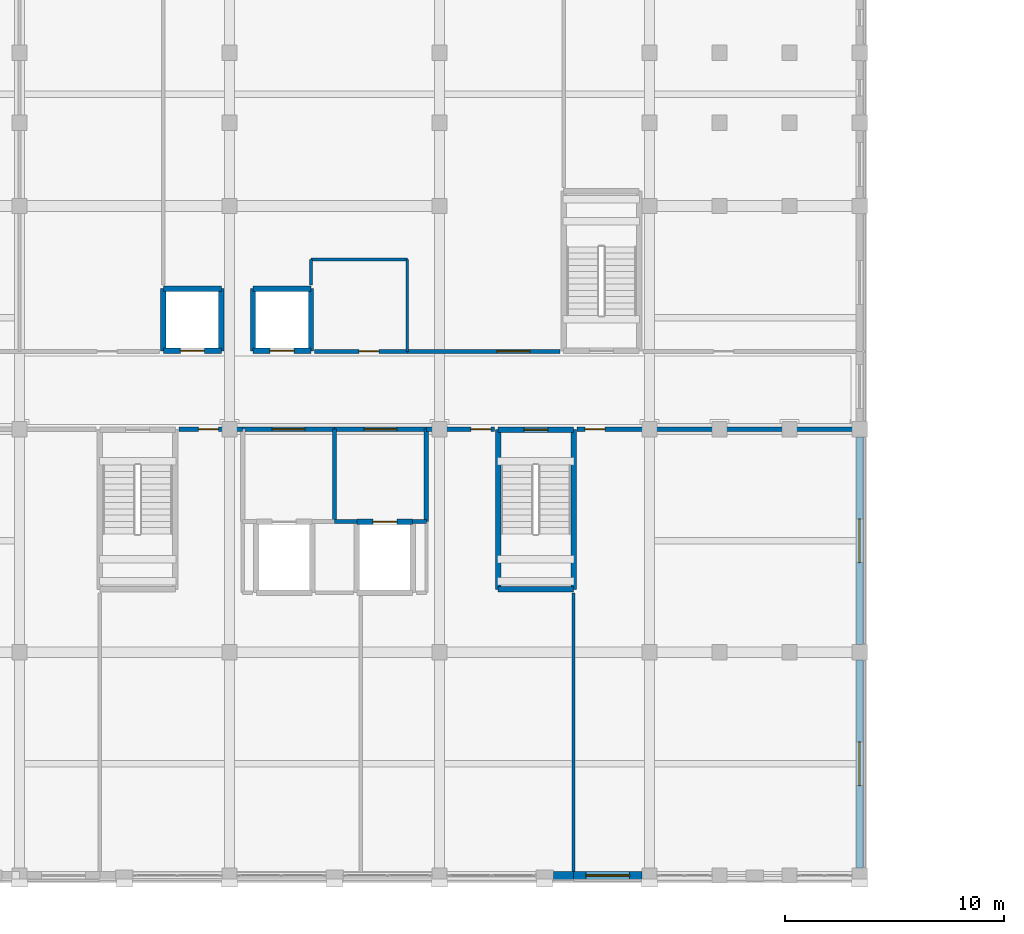
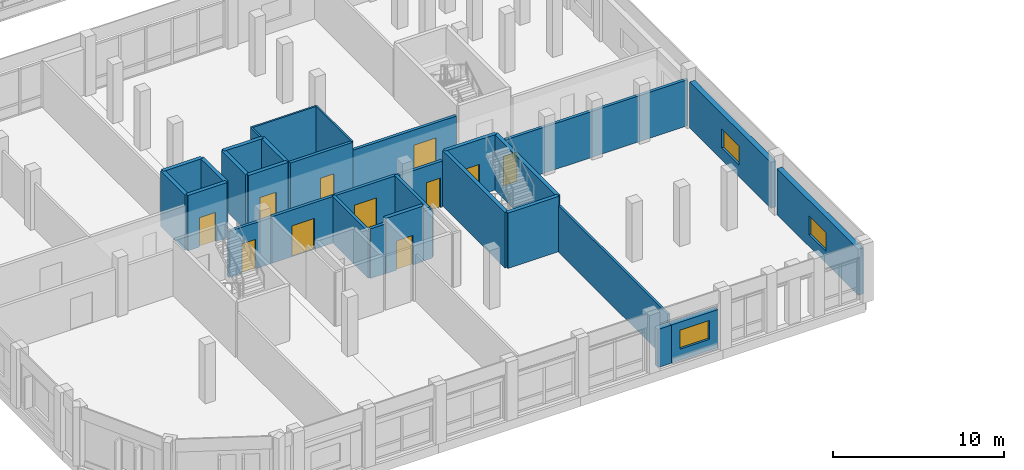
# One storey, part 156 of 185: 32 walls, 11 doors, 3 windows, 14 openings.
"""IFC4 building model written with IfcOpenShell, lengths in metres."""

from ifc_helpers import new_model, si_unit, direction, frame, frame_2d, origin, place, context, subcontext, project, spatial, rectangle, extrude, material, layer, layer_set, type_object, element, fill, save


model = new_model("IFC4")

# Units and contexts
model_context = context("Model", 3, precision=1e-05, world=origin(), true_north=direction((0.0, 1.0)))
body_context = subcontext(model_context, "Body", "Model", "MODEL_VIEW")
ifc_project = project(units=[si_unit("LENGTHUNIT", "METRE"), si_unit("AREAUNIT", "SQUARE_METRE"), si_unit("VOLUMEUNIT", "CUBIC_METRE"), si_unit("PLANEANGLEUNIT", "RADIAN"), si_unit("MASSUNIT", "GRAM", prefix="KILO")], contexts=[model_context])

# Site, building, storey
site_placement = place(None, origin())
site = spatial("IfcSite", under=ifc_project, at=site_placement, CompositionType="ELEMENT")
building_placement = place(site_placement, origin())
building = spatial("IfcBuilding", under=site, at=building_placement, Name="Vondelvale Polytechnic", CompositionType="ELEMENT")
storey_placement = place(building_placement, frame((0.0, 0.0, 9.60009765625)))
storey = spatial("IfcBuildingStorey", under=building, at=storey_placement, Name="L02", CompositionType="ELEMENT", Elevation=9.60009765625)

# Wall
ifc_material_1 = material(Name="Amsterdam School iron-spot clinker clay brickwork", Category="masonry")
ifc_layer_1 = layer(ifc_material_1, 0.35009765625)
ifc_layer_set_1 = layer_set([ifc_layer_1], Name="WL-BRICK-350")
wall_type_1 = type_object("IfcWallType", Name="WL-BRICK-350", PredefinedType="SOLIDWALL", material=ifc_layer_set_1)
wall_1_placement = place(storey_placement, frame((34.925048828125, 0.0, 0.0), z_axis=(0.0, 0.0, 1.0), x_axis=(-1.0, 0.0, 0.0)))
element("IfcWall", 1, at=wall_1_placement, inside=storey, type_object=wall_type_1, Name="L02 exterior masonry facade wall", PredefinedType="SOLIDWALL", context=body_context, shape_type="SweptSolid", body=[
    extrude(rectangle(XDim=0.924072265625, YDim=0.35009765625, at=frame_2d((0.4619140625, 0.0))), origin(), (0.0, 0.0, 1.0), 2.722900390625),
])

# Wall, opening, window
wall_2_placement = place(storey_placement, frame((38.049072265625, 0.0, 0.0), z_axis=(0.0, 0.0, 1.0), x_axis=(-1.0, 0.0, 0.0)))
wall_2 = element("IfcWall", 2, at=wall_2_placement, inside=storey, type_object=wall_type_1, Name="L02 exterior masonry facade wall", PredefinedType="SOLIDWALL", context=body_context, shape_type="SweptSolid", body=[
    extrude(rectangle(XDim=3.1240234375, YDim=0.35009765625, at=frame_2d((1.56201171875, 0.0))), origin(), (0.0, 0.0, 1.0), 2.722900390625),
])
opening_1_placement = place(wall_2_placement, frame((0.56201171875, 0.0, 0.800048828125)))
opening_1 = element("IfcOpeningElement", 3, at=opening_1_placement, cuts=wall_2, Name="Opening WN-0188", PredefinedType="OPENING", context=body_context, shape_type="SweptSolid", body=[
    extrude(rectangle(XDim=2.0, YDim=1.35009765625, at=frame_2d((1.0, 0.675048828125))), frame((0.0, 0.18505859375, 0.0), z_axis=(0.0, -1.0, 0.0), x_axis=(1.0, 0.0, 0.0)), (0.0, 0.0, 1.0), 0.3701171875),
])
ifc_material_2 = material(Name="Double-glazed low-E insulated architectural glass", Category="glass")
window_type = type_object("IfcWindowType", Name="WN-RIB-2000x1350", PartitioningType="SINGLE_PANEL", PredefinedType="WINDOW", material=ifc_material_2)
window_1_placement = place(opening_1_placement, origin())
window_1 = element("IfcWindow", 4, at=window_1_placement, inside=storey, type_object=window_type, Name="L02 double-glazed architectural window WN-0188", OverallHeight=1.35009765625, OverallWidth=2.0, PartitioningType="SINGLE_PANEL", PredefinedType="WINDOW", context=body_context, shape_type="SweptSolid", body=[
    extrude(rectangle(XDim=2.0, YDim=1.35009765625, at=frame_2d((1.0, 0.675048828125))), frame((0.0, 0.030029296875, 0.0), z_axis=(0.0, -1.0, 0.0), x_axis=(1.0, 0.0, 0.0)), (0.0, 0.0, 1.0), 0.06005859375),
])
fill(opening_1, window_1)

wall_3_placement = place(storey_placement, frame((48.0, 9.84912109375, 0.0), z_axis=(0.0, 0.0, 1.0), x_axis=(0.0, -1.0, 0.0)))
wall_3 = element("IfcWall", 5, at=wall_3_placement, inside=storey, type_object=wall_type_1, Name="L02 exterior masonry facade wall", PredefinedType="SOLIDWALL", context=body_context, shape_type="SweptSolid", body=[
    extrude(rectangle(XDim=9.498046875, YDim=0.35009765625, at=frame_2d((4.7490234375, 0.0))), origin(), (0.0, 0.0, 1.0), 3.27978515625),
])
opening_2_placement = place(wall_3_placement, frame((3.7490234375, 0.0, 0.85009765625)))
opening_2 = element("IfcOpeningElement", 6, at=opening_2_placement, cuts=wall_3, Name="Opening WN-0195", PredefinedType="OPENING", context=body_context, shape_type="SweptSolid", body=[
    extrude(rectangle(XDim=2.0, YDim=1.35009765625, at=frame_2d((1.0, 0.675048828125))), frame((0.0, 0.18505859375, 0.0), z_axis=(0.0, -1.0, 0.0), x_axis=(1.0, 0.0, 0.0)), (0.0, 0.0, 1.0), 0.3701171875),
])
window_2_placement = place(opening_2_placement, origin())
window_2 = element("IfcWindow", 7, at=window_2_placement, inside=storey, type_object=window_type, Name="L02 double-glazed architectural window WN-0195", OverallHeight=1.35009765625, OverallWidth=2.0, PartitioningType="SINGLE_PANEL", PredefinedType="WINDOW", context=body_context, shape_type="SweptSolid", body=[
    extrude(rectangle(XDim=2.0, YDim=1.35009765625, at=frame_2d((1.0, 0.675048828125))), frame((0.0, 0.030029296875, 0.0), z_axis=(0.0, -1.0, 0.0), x_axis=(1.0, 0.0, 0.0)), (0.0, 0.0, 1.0), 0.06005859375),
])
fill(opening_2, window_2)

wall_4_placement = place(storey_placement, frame((48.0, 20.049072265625, 0.0), z_axis=(0.0, 0.0, 1.0), x_axis=(0.0, -1.0, 0.0)))
wall_4 = element("IfcWall", 8, at=wall_4_placement, inside=storey, type_object=wall_type_1, Name="L02 exterior masonry facade wall", PredefinedType="SOLIDWALL", context=body_context, shape_type="SweptSolid", body=[
    extrude(rectangle(XDim=9.498046875, YDim=0.35009765625, at=frame_2d((4.7490234375, 0.0))), origin(), (0.0, 0.0, 1.0), 3.27978515625),
])
opening_3_placement = place(wall_4_placement, frame((3.7490234375, 0.0, 0.85009765625)))
opening_3 = element("IfcOpeningElement", 9, at=opening_3_placement, cuts=wall_4, Name="Opening WN-0196", PredefinedType="OPENING", context=body_context, shape_type="SweptSolid", body=[
    extrude(rectangle(XDim=2.0, YDim=1.35009765625, at=frame_2d((1.0, 0.675048828125))), frame((0.0, 0.18505859375, 0.0), z_axis=(0.0, -1.0, 0.0), x_axis=(1.0, 0.0, 0.0)), (0.0, 0.0, 1.0), 0.3701171875),
])
window_3_placement = place(opening_3_placement, origin())
window_3 = element("IfcWindow", 10, at=window_3_placement, inside=storey, type_object=window_type, Name="L02 double-glazed architectural window WN-0196", OverallHeight=1.35009765625, OverallWidth=2.0, PartitioningType="SINGLE_PANEL", PredefinedType="WINDOW", context=body_context, shape_type="SweptSolid", body=[
    extrude(rectangle(XDim=2.0, YDim=1.35009765625, at=frame_2d((1.0, 0.675048828125))), frame((0.0, 0.030029296875, 0.0), z_axis=(0.0, -1.0, 0.0), x_axis=(1.0, 0.0, 0.0)), (0.0, 0.0, 1.0), 0.06005859375),
])
fill(opening_3, window_3)

# Walls
ifc_material_3 = material(Name="Concrete N40 (f'c = 40 MPa)", Category="concrete")
ifc_layer_2 = layer(ifc_material_3, 0.25)
ifc_layer_set_2 = layer_set([ifc_layer_2], Name="WL-CORE-250")
wall_type_2 = type_object("IfcWallType", Name="WL-CORE-250", PredefinedType="SOLIDWALL", material=ifc_layer_set_2)
wall_5_placement = place(storey_placement, frame((31.47509765625, 20.375, 0.0), z_axis=(0.0, 0.0, 1.0), x_axis=(0.0, -1.0, 0.0)))
element("IfcWall", 11, at=wall_5_placement, inside=storey, type_object=wall_type_2, Name="L02 ST-04 reinforced concrete stair core wall", PredefinedType="SOLIDWALL", context=body_context, shape_type="SweptSolid", body=[
    extrude(rectangle(XDim=7.300048828125, YDim=0.25, at=frame_2d((3.64990234375, 0.0))), origin(), (0.0, 0.0, 1.0), 3.949951171875),
])
wall_6_placement = place(storey_placement, frame((31.47509765625, 13.074951171875, 0.0), z_axis=(0.0, 0.0, 1.0), x_axis=(1.0, 0.0, 0.0)))
element("IfcWall", 12, at=wall_6_placement, inside=storey, type_object=wall_type_2, Name="L02 ST-04 reinforced concrete stair core wall", PredefinedType="SOLIDWALL", context=body_context, shape_type="SweptSolid", body=[
    extrude(rectangle(XDim=3.449951171875, YDim=0.25, at=frame_2d((1.72509765625, 0.0))), origin(), (0.0, 0.0, 1.0), 3.949951171875),
])
wall_7_placement = place(storey_placement, frame((34.925048828125, 13.074951171875, 0.0), z_axis=(0.0, 0.0, 1.0), x_axis=(0.0, 1.0, 0.0)))
element("IfcWall", 13, at=wall_7_placement, inside=storey, type_object=wall_type_2, Name="L02 ST-04 reinforced concrete stair core wall", PredefinedType="SOLIDWALL", context=body_context, shape_type="SweptSolid", body=[
    extrude(rectangle(XDim=7.300048828125, YDim=0.25, at=frame_2d((3.64990234375, 0.0))), origin(), (0.0, 0.0, 1.0), 3.949951171875),
])

# Wall, opening, door
wall_8_placement = place(storey_placement, frame((34.925048828125, 20.375, 0.0), z_axis=(0.0, 0.0, 1.0), x_axis=(-1.0, 0.0, 0.0)))
wall_8 = element("IfcWall", 14, at=wall_8_placement, inside=storey, type_object=wall_type_2, Name="L02 ST-04 reinforced concrete stair core wall", PredefinedType="SOLIDWALL", context=body_context, shape_type="SweptSolid", body=[
    extrude(rectangle(XDim=3.449951171875, YDim=0.25, at=frame_2d((1.72509765625, 0.0))), origin(), (0.0, 0.0, 1.0), 3.949951171875),
])
opening_4_placement = place(wall_8_placement, frame((1.175048828125, 0.0, 0.0)))
opening_4 = element("IfcOpeningElement", 15, at=opening_4_placement, cuts=wall_8, Name="Opening SD-021", PredefinedType="OPENING", context=body_context, shape_type="SweptSolid", body=[
    extrude(rectangle(XDim=1.10009765625, YDim=2.199951171875, at=frame_2d((0.550048828125, 1.10009765625))), frame((0.0, 0.135009765625, 0.0), z_axis=(0.0, -1.0, 0.0), x_axis=(1.0, 0.0, 0.0)), (0.0, 0.0, 1.0), 0.27001953125),
])
ifc_material_4 = material(Name="Brushed architectural stainless and zinc-coated metal")
door_type_1 = type_object("IfcDoorType", Name="DR-STAIR-1100x2200", OperationType="SINGLE_SWING_LEFT", PredefinedType="DOOR", material=ifc_material_4)
door_1_placement = place(opening_4_placement, origin())
door_1 = element("IfcDoor", 16, at=door_1_placement, inside=storey, type_object=door_type_1, Name="L02 ST-04 fire-isolated stair door", OperationType="SINGLE_SWING_LEFT", OverallHeight=2.199951171875, OverallWidth=1.10009765625, PredefinedType="DOOR", context=body_context, shape_type="SweptSolid", body=[
    extrude(rectangle(XDim=1.10009765625, YDim=2.199951171875, at=frame_2d((0.550048828125, 1.10009765625))), frame((0.0, 0.02490234375, 0.0), z_axis=(0.0, -1.0, 0.0), x_axis=(1.0, 0.0, 0.0)), (0.0, 0.0, 1.0), 0.050048828125),
])
fill(opening_4, door_1)

ifc_material_5 = material(Name="Fire-rated double-layer plasterboard stud partition")
ifc_layer_3 = layer(ifc_material_5, 0.199951171875)
ifc_layer_set_3 = layer_set([ifc_layer_3], Name="WL-CORR-200")
wall_type_3 = type_object("IfcWallType", Name="WL-CORR-200", PredefinedType="PARTITIONING", material=ifc_layer_set_3)
wall_9_placement = place(storey_placement, frame((19.800048828125, 20.39990234375, 0.0), z_axis=(0.0, 0.0, 1.0), x_axis=(1.0, 0.0, 0.0)))
wall_9 = element("IfcWall", 17, at=wall_9_placement, inside=storey, type_object=wall_type_3, Name="L02 EL-01 fire-isolated lift lobby wall", PredefinedType="PARTITIONING", context=body_context, shape_type="SweptSolid", body=[
    extrude(rectangle(XDim=4.199951171875, YDim=0.199951171875, at=frame_2d((2.10009765625, 0.0))), origin(), (0.0, 0.0, 1.0), 3.329833984375),
])
opening_5_placement = place(wall_9_placement, frame((1.35009765625, 0.0, 0.0)))
opening_5 = element("IfcOpeningElement", 18, at=opening_5_placement, cuts=wall_9, Name="Opening LBD-059", PredefinedType="OPENING", context=body_context, shape_type="SweptSolid", body=[
    extrude(rectangle(XDim=1.5, YDim=2.199951171875, at=frame_2d((0.75, 1.10009765625))), frame((0.0, 0.10986328125, 0.0), z_axis=(0.0, -1.0, 0.0), x_axis=(1.0, 0.0, 0.0)), (0.0, 0.0, 1.0), 0.219970703125),
])
ifc_material_6 = material(Name="Engineered Tasmanian oak studio and bridge joinery")
door_type_2 = type_object("IfcDoorType", Name="DR-LOBBY-1500x2200", OperationType="DOUBLE_DOOR_SINGLE_SWING", PredefinedType="DOOR", material=ifc_material_6)
door_2_placement = place(opening_5_placement, origin())
door_2 = element("IfcDoor", 19, at=door_2_placement, inside=storey, type_object=door_type_2, Name="L02 EL-01 firefighting lobby smoke door", OperationType="SINGLE_SWING_LEFT", OverallHeight=2.199951171875, OverallWidth=1.5, PredefinedType="DOOR", context=body_context, shape_type="SweptSolid", body=[
    extrude(rectangle(XDim=1.5, YDim=2.199951171875, at=frame_2d((0.75, 1.10009765625))), frame((0.0, 0.02490234375, 0.0), z_axis=(0.0, -1.0, 0.0), x_axis=(1.0, 0.0, 0.0)), (0.0, 0.0, 1.0), 0.050048828125),
])
fill(opening_5, door_2)

# Wall
wall_10_placement = place(storey_placement, frame((24.0, 16.175048828125, 0.0), z_axis=(0.0, 0.0, 1.0), x_axis=(0.0, 1.0, 0.0)))
element("IfcWall", 20, at=wall_10_placement, inside=storey, type_object=wall_type_3, Name="L02 EL-01 fire-isolated lift lobby wall", PredefinedType="PARTITIONING", context=body_context, shape_type="SweptSolid", body=[
    extrude(rectangle(XDim=4.224853515625, YDim=0.199951171875, at=frame_2d((2.1123046875, 0.0))), origin(), (0.0, 0.0, 1.0), 3.329833984375),
])

# Wall, opening, door
wall_11_placement = place(storey_placement, frame((24.0, 20.39990234375, 0.0), z_axis=(0.0, 0.0, 1.0), x_axis=(1.0, 0.0, 0.0)))
wall_11 = element("IfcWall", 21, at=wall_11_placement, inside=storey, type_object=wall_type_3, Name="L02 EL-02 fire-isolated lift lobby wall", PredefinedType="PARTITIONING", context=body_context, shape_type="SweptSolid", body=[
    extrude(rectangle(XDim=4.199951171875, YDim=0.199951171875, at=frame_2d((2.10009765625, 0.0))), origin(), (0.0, 0.0, 1.0), 3.329833984375),
])
opening_6_placement = place(wall_11_placement, frame((1.35009765625, 0.0, 0.0)))
opening_6 = element("IfcOpeningElement", 22, at=opening_6_placement, cuts=wall_11, Name="Opening LBD-068", PredefinedType="OPENING", context=body_context, shape_type="SweptSolid", body=[
    extrude(rectangle(XDim=1.5, YDim=2.199951171875, at=frame_2d((0.75, 1.10009765625))), frame((0.0, 0.10986328125, 0.0), z_axis=(0.0, -1.0, 0.0), x_axis=(1.0, 0.0, 0.0)), (0.0, 0.0, 1.0), 0.219970703125),
])
door_3_placement = place(opening_6_placement, origin())
door_3 = element("IfcDoor", 23, at=door_3_placement, inside=storey, type_object=door_type_2, Name="L02 EL-02 firefighting lobby smoke door", OperationType="SINGLE_SWING_LEFT", OverallHeight=2.199951171875, OverallWidth=1.5, PredefinedType="DOOR", context=body_context, shape_type="SweptSolid", body=[
    extrude(rectangle(XDim=1.5, YDim=2.199951171875, at=frame_2d((0.75, 1.10009765625))), frame((0.0, 0.02490234375, 0.0), z_axis=(0.0, -1.0, 0.0), x_axis=(1.0, 0.0, 0.0)), (0.0, 0.0, 1.0), 0.050048828125),
])
fill(opening_6, door_3)

# Walls
wall_12_placement = place(storey_placement, frame((28.199951171875, 16.175048828125, 0.0), z_axis=(0.0, 0.0, 1.0), x_axis=(0.0, 1.0, 0.0)))
element("IfcWall", 24, at=wall_12_placement, inside=storey, type_object=wall_type_3, Name="L02 EL-02 fire-isolated lift lobby wall", PredefinedType="PARTITIONING", context=body_context, shape_type="SweptSolid", body=[
    extrude(rectangle(XDim=4.224853515625, YDim=0.199951171875, at=frame_2d((2.1123046875, 0.0))), origin(), (0.0, 0.0, 1.0), 3.329833984375),
])
wall_13_placement = place(storey_placement, frame((24.0, 16.175048828125, 0.0), z_axis=(0.0, 0.0, 1.0), x_axis=(1.0, 0.0, 0.0)))
element("IfcWall", 25, at=wall_13_placement, inside=storey, type_object=wall_type_3, Name="L02 EL-02 fire-isolated lift lobby wall", PredefinedType="PARTITIONING", context=body_context, shape_type="SweptSolid", body=[
    extrude(rectangle(XDim=1.02490234375, YDim=0.199951171875, at=frame_2d((0.512451171875, 0.0))), origin(), (0.0, 0.0, 1.0), 3.5498046875),
])
wall_14_placement = place(storey_placement, frame((27.574951171875, 16.175048828125, 0.0), z_axis=(0.0, 0.0, 1.0), x_axis=(1.0, 0.0, 0.0)))
element("IfcWall", 26, at=wall_14_placement, inside=storey, type_object=wall_type_3, Name="L02 EL-02 fire-isolated lift lobby wall", PredefinedType="PARTITIONING", context=body_context, shape_type="SweptSolid", body=[
    extrude(rectangle(XDim=0.625, YDim=0.199951171875, at=frame_2d((0.3125, 0.0))), origin(), (0.0, 0.0, 1.0), 3.5498046875),
])

# Wall, opening, door
wall_15_placement = place(storey_placement, frame((16.889892578125, 20.39990234375, 0.0), z_axis=(0.0, 0.0, 1.0), x_axis=(1.0, 0.0, 0.0)))
wall_15 = element("IfcWall", 27, at=wall_15_placement, inside=storey, type_object=wall_type_3, Name="L02 interior acoustic partition", PredefinedType="PARTITIONING", context=body_context, shape_type="SweptSolid", body=[
    extrude(rectangle(XDim=2.91015625, YDim=0.199951171875, at=frame_2d((1.455078125, 0.0))), origin(), (0.0, 0.0, 1.0), 3.27978515625),
])
opening_7_placement = place(wall_15_placement, frame((0.885009765625, 0.0, 0.0)))
opening_7 = element("IfcOpeningElement", 28, at=opening_7_placement, cuts=wall_15, Name="Opening ID-0159", PredefinedType="OPENING", context=body_context, shape_type="SweptSolid", body=[
    extrude(rectangle(XDim=0.919921875, YDim=2.10009765625, at=frame_2d((0.4599609375, 1.050048828125))), frame((0.0, 0.10986328125, 0.0), z_axis=(0.0, -1.0, 0.0), x_axis=(1.0, 0.0, 0.0)), (0.0, 0.0, 1.0), 0.219970703125),
])
ifc_material_7 = material(Name="Fire-rated solid Tasmanian oak joinery")
door_type_3 = type_object("IfcDoorType", Name="DR-INT-0920x2100", OperationType="SINGLE_SWING_LEFT", PredefinedType="DOOR", material=ifc_material_7)
door_4_placement = place(opening_7_placement, origin())
door_4 = element("IfcDoor", 29, at=door_4_placement, inside=storey, type_object=door_type_3, Name="L02 interior room door ID-0159", OperationType="SINGLE_SWING_LEFT", OverallHeight=2.10009765625, OverallWidth=0.919921875, PredefinedType="DOOR", context=body_context, shape_type="SweptSolid", body=[
    extrude(rectangle(XDim=0.919921875, YDim=2.10009765625, at=frame_2d((0.4599609375, 1.050048828125))), frame((0.0, 0.02490234375, 0.0), z_axis=(0.0, -1.0, 0.0), x_axis=(1.0, 0.0, 0.0)), (0.0, 0.0, 1.0), 0.050048828125),
])
fill(opening_7, door_4)

wall_16_placement = place(storey_placement, frame((28.199951171875, 20.39990234375, 0.0), z_axis=(0.0, 0.0, 1.0), x_axis=(1.0, 0.0, 0.0)))
wall_16 = element("IfcWall", 30, at=wall_16_placement, inside=storey, type_object=wall_type_3, Name="L02 interior acoustic partition", PredefinedType="PARTITIONING", context=body_context, shape_type="SweptSolid", body=[
    extrude(rectangle(XDim=3.110107421875, YDim=0.199951171875, at=frame_2d((1.55517578125, 0.0))), origin(), (0.0, 0.0, 1.0), 3.27978515625),
])
opening_8_placement = place(wall_16_placement, frame((2.030029296875, 0.0, 0.0)))
opening_8 = element("IfcOpeningElement", 31, at=opening_8_placement, cuts=wall_16, Name="Opening ID-0160", PredefinedType="OPENING", context=body_context, shape_type="SweptSolid", body=[
    extrude(rectangle(XDim=0.919921875, YDim=2.10009765625, at=frame_2d((0.4599609375, 1.050048828125))), frame((0.0, 0.10986328125, 0.0), z_axis=(0.0, -1.0, 0.0), x_axis=(1.0, 0.0, 0.0)), (0.0, 0.0, 1.0), 0.219970703125),
])
door_5_placement = place(opening_8_placement, origin())
door_5 = element("IfcDoor", 32, at=door_5_placement, inside=storey, type_object=door_type_3, Name="L02 interior room door ID-0160", OperationType="SINGLE_SWING_RIGHT", OverallHeight=2.10009765625, OverallWidth=0.919921875, PredefinedType="DOOR", context=body_context, shape_type="SweptSolid", body=[
    extrude(rectangle(XDim=0.919921875, YDim=2.10009765625, at=frame_2d((0.4599609375, 1.050048828125))), frame((0.0, 0.02490234375, 0.0), z_axis=(0.0, -1.0, 0.0), x_axis=(1.0, 0.0, 0.0)), (0.0, 0.0, 1.0), 0.050048828125),
])
fill(opening_8, door_5)

wall_17_placement = place(storey_placement, frame((35.090087890625, 20.39990234375, 0.0), z_axis=(0.0, 0.0, 1.0), x_axis=(1.0, 0.0, 0.0)))
wall_17 = element("IfcWall", 33, at=wall_17_placement, inside=storey, type_object=wall_type_3, Name="L02 interior acoustic partition", PredefinedType="PARTITIONING", context=body_context, shape_type="SweptSolid", body=[
    extrude(rectangle(XDim=12.760009765625, YDim=0.199951171875, at=frame_2d((6.3798828125, 0.0))), origin(), (0.0, 0.0, 1.0), 3.27978515625),
])
opening_9_placement = place(wall_17_placement, frame((0.35498046875, 0.0, 0.0)))
opening_9 = element("IfcOpeningElement", 34, at=opening_9_placement, cuts=wall_17, Name="Opening ID-0161", PredefinedType="OPENING", context=body_context, shape_type="SweptSolid", body=[
    extrude(rectangle(XDim=0.919921875, YDim=2.10009765625, at=frame_2d((0.4599609375, 1.050048828125))), frame((0.0, 0.10986328125, 0.0), z_axis=(0.0, -1.0, 0.0), x_axis=(1.0, 0.0, 0.0)), (0.0, 0.0, 1.0), 0.219970703125),
])
door_6_placement = place(opening_9_placement, origin())
door_6 = element("IfcDoor", 35, at=door_6_placement, inside=storey, type_object=door_type_3, Name="L02 interior room door ID-0161", OperationType="SINGLE_SWING_LEFT", OverallHeight=2.10009765625, OverallWidth=0.919921875, PredefinedType="DOOR", context=body_context, shape_type="SweptSolid", body=[
    extrude(rectangle(XDim=0.919921875, YDim=2.10009765625, at=frame_2d((0.4599609375, 1.050048828125))), frame((0.0, 0.02490234375, 0.0), z_axis=(0.0, -1.0, 0.0), x_axis=(1.0, 0.0, 0.0)), (0.0, 0.0, 1.0), 0.050048828125),
])
fill(opening_9, door_6)

wall_18_placement = place(storey_placement, frame((23.090087890625, 23.949951171875, 0.0), z_axis=(0.0, 0.0, 1.0), x_axis=(1.0, 0.0, 0.0)))
wall_18 = element("IfcWall", 36, at=wall_18_placement, inside=storey, type_object=wall_type_3, Name="L02 interior acoustic partition", PredefinedType="PARTITIONING", context=body_context, shape_type="SweptSolid", body=[
    extrude(rectangle(XDim=4.23486328125, YDim=0.199951171875, at=frame_2d((2.117431640625, 0.0))), origin(), (0.0, 0.0, 1.0), 3.849853515625),
])
opening_10_placement = place(wall_18_placement, frame((2.034912109375, 0.0, 0.0)))
opening_10 = element("IfcOpeningElement", 37, at=opening_10_placement, cuts=wall_18, Name="Opening ID-0162", PredefinedType="OPENING", context=body_context, shape_type="SweptSolid", body=[
    extrude(rectangle(XDim=0.89990234375, YDim=2.050048828125, at=frame_2d((0.449951171875, 1.02490234375))), frame((0.0, 0.10986328125, 0.0), z_axis=(0.0, -1.0, 0.0), x_axis=(1.0, 0.0, 0.0)), (0.0, 0.0, 1.0), 0.219970703125),
])
door_type_4 = type_object("IfcDoorType", Name="DR-WC-0900x2050", OperationType="SINGLE_SWING_RIGHT", PredefinedType="DOOR", material=ifc_material_7)
door_7_placement = place(opening_10_placement, origin())
door_7 = element("IfcDoor", 38, at=door_7_placement, inside=storey, type_object=door_type_4, Name="L02 interior room door ID-0162", OperationType="SINGLE_SWING_RIGHT", OverallHeight=2.050048828125, OverallWidth=0.89990234375, PredefinedType="DOOR", context=body_context, shape_type="SweptSolid", body=[
    extrude(rectangle(XDim=0.89990234375, YDim=2.050048828125, at=frame_2d((0.449951171875, 1.02490234375))), frame((0.0, 0.02490234375, 0.0), z_axis=(0.0, -1.0, 0.0), x_axis=(1.0, 0.0, 0.0)), (0.0, 0.0, 1.0), 0.050048828125),
])
fill(opening_10, door_7)

wall_19_placement = place(storey_placement, frame((27.324951171875, 23.949951171875, 0.0), z_axis=(0.0, 0.0, 1.0), x_axis=(1.0, 0.0, 0.0)))
wall_19 = element("IfcWall", 39, at=wall_19_placement, inside=storey, type_object=wall_type_3, Name="L02 interior acoustic partition", PredefinedType="PARTITIONING", context=body_context, shape_type="SweptSolid", body=[
    extrude(rectangle(XDim=6.985107421875, YDim=0.199951171875, at=frame_2d((3.49267578125, 0.0))), origin(), (0.0, 0.0, 1.0), 3.27978515625),
])
opening_11_placement = place(wall_19_placement, frame((4.10009765625, 0.0, 0.0)))
opening_11 = element("IfcOpeningElement", 40, at=opening_11_placement, cuts=wall_19, Name="Opening ID-0165", PredefinedType="OPENING", context=body_context, shape_type="SweptSolid", body=[
    extrude(rectangle(XDim=1.5, YDim=2.199951171875, at=frame_2d((0.75, 1.10009765625))), frame((0.0, 0.10986328125, 0.0), z_axis=(0.0, -1.0, 0.0), x_axis=(1.0, 0.0, 0.0)), (0.0, 0.0, 1.0), 0.219970703125),
])
door_type_5 = type_object("IfcDoorType", Name="DR-LAB-1500x2200", OperationType="DOUBLE_DOOR_SINGLE_SWING", PredefinedType="DOOR", material=ifc_material_7)
door_8_placement = place(opening_11_placement, origin())
door_8 = element("IfcDoor", 41, at=door_8_placement, inside=storey, type_object=door_type_5, Name="L02 interior room door ID-0165", OperationType="DOUBLE_DOOR_SINGLE_SWING", OverallHeight=2.199951171875, OverallWidth=1.5, PredefinedType="DOOR", context=body_context, shape_type="SweptSolid", body=[
    extrude(rectangle(XDim=1.5, YDim=2.199951171875, at=frame_2d((0.75, 1.10009765625))), frame((0.0, 0.02490234375, 0.0), z_axis=(0.0, -1.0, 0.0), x_axis=(1.0, 0.0, 0.0)), (0.0, 0.0, 1.0), 0.050048828125),
])
fill(opening_11, door_8)

# Walls
ifc_layer_4 = layer(ifc_material_5, 0.1201171875)
ifc_layer_set_4 = layer_set([ifc_layer_4], Name="WL-INT-120")
wall_type_4 = type_object("IfcWallType", Name="WL-INT-120", PredefinedType="PARTITIONING", material=ifc_layer_set_4)
wall_20_placement = place(storey_placement, frame((22.925048828125, 26.989990234375, 0.0), z_axis=(0.0, 0.0, 1.0), x_axis=(0.0, 1.0, 0.0)))
element("IfcWall", 42, at=wall_20_placement, inside=storey, type_object=wall_type_4, Name="L02 interior acoustic partition", PredefinedType="PARTITIONING", context=body_context, shape_type="SweptSolid", body=[
    extrude(rectangle(XDim=1.159912109375, YDim=0.1201171875, at=frame_2d((0.580078125, 0.0))), origin(), (0.0, 0.0, 1.0), 3.849853515625),
])
wall_21_placement = place(storey_placement, frame((22.925048828125, 28.14990234375, 0.0), z_axis=(0.0, 0.0, 1.0), x_axis=(1.0, 0.0, 0.0)))
element("IfcWall", 43, at=wall_21_placement, inside=storey, type_object=wall_type_4, Name="L02 interior acoustic partition", PredefinedType="PARTITIONING", context=body_context, shape_type="SweptSolid", body=[
    extrude(rectangle(XDim=4.39990234375, YDim=0.1201171875, at=frame_2d((2.199951171875, 0.0))), origin(), (0.0, 0.0, 1.0), 3.849853515625),
])
wall_22_placement = place(storey_placement, frame((27.324951171875, 23.949951171875, 0.0), z_axis=(0.0, 0.0, 1.0), x_axis=(0.0, 1.0, 0.0)))
element("IfcWall", 44, at=wall_22_placement, inside=storey, type_object=wall_type_4, Name="L02 interior acoustic partition", PredefinedType="PARTITIONING", context=body_context, shape_type="SweptSolid", body=[
    extrude(rectangle(XDim=4.199951171875, YDim=0.1201171875, at=frame_2d((2.10009765625, 0.0))), origin(), (0.0, 0.0, 1.0), 3.849853515625),
])
ifc_layer_5 = layer(ifc_material_5, 0.14990234375)
ifc_layer_set_5 = layer_set([ifc_layer_5], Name="WL-INT-150")
wall_type_5 = type_object("IfcWallType", Name="WL-INT-150", PredefinedType="PARTITIONING", material=ifc_layer_set_5)
wall_23_placement = place(storey_placement, frame((34.925048828125, 0.14990234375, 0.0), z_axis=(0.0, 0.0, 1.0), x_axis=(0.0, 1.0, 0.0)))
element("IfcWall", 45, at=wall_23_placement, inside=storey, type_object=wall_type_5, Name="L02 interior acoustic partition", PredefinedType="PARTITIONING", context=body_context, shape_type="SweptSolid", body=[
    extrude(rectangle(XDim=12.760009765625, YDim=0.14990234375, at=frame_2d((6.3798828125, 0.0))), origin(), (0.0, 0.0, 1.0), 3.329833984375),
])

# Wall, opening, door
ifc_layer_6 = layer(ifc_material_3, 0.25)
ifc_layer_set_6 = layer_set([ifc_layer_6], Name="WL-SHAFT-250")
wall_type_6 = type_object("IfcWallType", Name="WL-SHAFT-250", PredefinedType="SOLIDWALL", material=ifc_layer_set_6)
wall_24_placement = place(storey_placement, frame((27.574951171875, 16.175048828125, 0.0), z_axis=(0.0, 0.0, 1.0), x_axis=(-1.0, 0.0, 0.0)))
wall_24 = element("IfcWall", 46, at=wall_24_placement, inside=storey, type_object=wall_type_6, Name="L02 EL-02 lift shaft wall N", PredefinedType="SOLIDWALL", context=body_context, shape_type="SweptSolid", body=[
    extrude(rectangle(XDim=2.550048828125, YDim=0.25, at=frame_2d((1.27490234375, 0.0))), origin(), (0.0, 0.0, 1.0), 3.949951171875),
])
opening_12_placement = place(wall_24_placement, frame((0.72509765625, 0.0, 0.0)))
opening_12 = element("IfcOpeningElement", 47, at=opening_12_placement, cuts=wall_24, Name="Opening LD-013", PredefinedType="OPENING", context=body_context, shape_type="SweptSolid", body=[
    extrude(rectangle(XDim=1.10009765625, YDim=2.10009765625, at=frame_2d((0.550048828125, 1.050048828125))), frame((0.0, 0.135009765625, 0.0), z_axis=(0.0, -1.0, 0.0), x_axis=(1.0, 0.0, 0.0)), (0.0, 0.0, 1.0), 0.27001953125),
])
door_type_6 = type_object("IfcDoorType", Name="DR-LIFT-1100x2100", OperationType="SLIDING_TO_LEFT", PredefinedType="DOOR", material=ifc_material_4)
door_9_placement = place(opening_12_placement, origin())
door_9 = element("IfcDoor", 48, at=door_9_placement, inside=storey, type_object=door_type_6, Name="L02 EL-02 sliding lift landing door", OperationType="SLIDING_TO_LEFT", OverallHeight=2.10009765625, OverallWidth=1.10009765625, PredefinedType="DOOR", context=body_context, shape_type="SweptSolid", body=[
    extrude(rectangle(XDim=1.10009765625, YDim=2.10009765625, at=frame_2d((0.550048828125, 1.050048828125))), frame((0.0, 0.02490234375, 0.0), z_axis=(0.0, -1.0, 0.0), x_axis=(1.0, 0.0, 0.0)), (0.0, 0.0, 1.0), 0.050048828125),
])
fill(opening_12, door_9)

wall_25_placement = place(storey_placement, frame((16.175048828125, 23.97509765625, 0.0), z_axis=(0.0, 0.0, 1.0), x_axis=(1.0, 0.0, 0.0)))
wall_25 = element("IfcWall", 49, at=wall_25_placement, inside=storey, type_object=wall_type_6, Name="L02 PL-01 lift shaft wall S", PredefinedType="SOLIDWALL", context=body_context, shape_type="SweptSolid", body=[
    extrude(rectangle(XDim=2.64990234375, YDim=0.25, at=frame_2d((1.324951171875, 0.0))), origin(), (0.0, 0.0, 1.0), 3.949951171875),
])
opening_13_placement = place(wall_25_placement, frame((0.77490234375, 0.0, 0.0)))
opening_13 = element("IfcOpeningElement", 50, at=opening_13_placement, cuts=wall_25, Name="Opening LD-022", PredefinedType="OPENING", context=body_context, shape_type="SweptSolid", body=[
    extrude(rectangle(XDim=1.10009765625, YDim=2.10009765625, at=frame_2d((0.550048828125, 1.050048828125))), frame((0.0, 0.135009765625, 0.0), z_axis=(0.0, -1.0, 0.0), x_axis=(1.0, 0.0, 0.0)), (0.0, 0.0, 1.0), 0.27001953125),
])
door_10_placement = place(opening_13_placement, origin())
door_10 = element("IfcDoor", 51, at=door_10_placement, inside=storey, type_object=door_type_6, Name="L02 PL-01 sliding lift landing door", OperationType="SLIDING_TO_LEFT", OverallHeight=2.10009765625, OverallWidth=1.10009765625, PredefinedType="DOOR", context=body_context, shape_type="SweptSolid", body=[
    extrude(rectangle(XDim=1.10009765625, YDim=2.10009765625, at=frame_2d((0.550048828125, 1.050048828125))), frame((0.0, 0.02490234375, 0.0), z_axis=(0.0, -1.0, 0.0), x_axis=(1.0, 0.0, 0.0)), (0.0, 0.0, 1.0), 0.050048828125),
])
fill(opening_13, door_10)

# Walls
wall_26_placement = place(storey_placement, frame((18.824951171875, 23.97509765625, 0.0), z_axis=(0.0, 0.0, 1.0), x_axis=(0.0, 1.0, 0.0)))
element("IfcWall", 52, at=wall_26_placement, inside=storey, type_object=wall_type_6, Name="L02 PL-01 lift shaft wall E", PredefinedType="SOLIDWALL", context=body_context, shape_type="SweptSolid", body=[
    extrude(rectangle(XDim=2.849853515625, YDim=0.25, at=frame_2d((1.4248046875, 0.0))), origin(), (0.0, 0.0, 1.0), 3.949951171875),
])
wall_27_placement = place(storey_placement, frame((18.824951171875, 26.824951171875, 0.0), z_axis=(0.0, 0.0, 1.0), x_axis=(-1.0, 0.0, 0.0)))
element("IfcWall", 53, at=wall_27_placement, inside=storey, type_object=wall_type_6, Name="L02 PL-01 lift shaft wall N", PredefinedType="SOLIDWALL", context=body_context, shape_type="SweptSolid", body=[
    extrude(rectangle(XDim=2.64990234375, YDim=0.25, at=frame_2d((1.324951171875, 0.0))), origin(), (0.0, 0.0, 1.0), 3.949951171875),
])
wall_28_placement = place(storey_placement, frame((16.175048828125, 26.824951171875, 0.0), z_axis=(0.0, 0.0, 1.0), x_axis=(0.0, -1.0, 0.0)))
element("IfcWall", 54, at=wall_28_placement, inside=storey, type_object=wall_type_6, Name="L02 PL-01 lift shaft wall W", PredefinedType="SOLIDWALL", context=body_context, shape_type="SweptSolid", body=[
    extrude(rectangle(XDim=2.849853515625, YDim=0.25, at=frame_2d((1.4248046875, 0.0))), origin(), (0.0, 0.0, 1.0), 3.949951171875),
])

# Wall, opening, door
wall_29_placement = place(storey_placement, frame((20.27490234375, 23.97509765625, 0.0), z_axis=(0.0, 0.0, 1.0), x_axis=(1.0, 0.0, 0.0)))
wall_29 = element("IfcWall", 55, at=wall_29_placement, inside=storey, type_object=wall_type_6, Name="L02 PL-02 lift shaft wall S", PredefinedType="SOLIDWALL", context=body_context, shape_type="SweptSolid", body=[
    extrude(rectangle(XDim=2.650146484375, YDim=0.25, at=frame_2d((1.3251953125, 0.0))), origin(), (0.0, 0.0, 1.0), 3.949951171875),
])
opening_14_placement = place(wall_29_placement, frame((0.77490234375, 0.0, 0.0)))
opening_14 = element("IfcOpeningElement", 56, at=opening_14_placement, cuts=wall_29, Name="Opening LD-031", PredefinedType="OPENING", context=body_context, shape_type="SweptSolid", body=[
    extrude(rectangle(XDim=1.10009765625, YDim=2.10009765625, at=frame_2d((0.550048828125, 1.050048828125))), frame((0.0, 0.135009765625, 0.0), z_axis=(0.0, -1.0, 0.0), x_axis=(1.0, 0.0, 0.0)), (0.0, 0.0, 1.0), 0.27001953125),
])
door_11_placement = place(opening_14_placement, origin())
door_11 = element("IfcDoor", 57, at=door_11_placement, inside=storey, type_object=door_type_6, Name="L02 PL-02 sliding lift landing door", OperationType="SLIDING_TO_LEFT", OverallHeight=2.10009765625, OverallWidth=1.10009765625, PredefinedType="DOOR", context=body_context, shape_type="SweptSolid", body=[
    extrude(rectangle(XDim=1.10009765625, YDim=2.10009765625, at=frame_2d((0.550048828125, 1.050048828125))), frame((0.0, 0.02490234375, 0.0), z_axis=(0.0, -1.0, 0.0), x_axis=(1.0, 0.0, 0.0)), (0.0, 0.0, 1.0), 0.050048828125),
])
fill(opening_14, door_11)

# Walls
wall_30_placement = place(storey_placement, frame((22.925048828125, 23.97509765625, 0.0), z_axis=(0.0, 0.0, 1.0), x_axis=(0.0, 1.0, 0.0)))
element("IfcWall", 58, at=wall_30_placement, inside=storey, type_object=wall_type_6, Name="L02 PL-02 lift shaft wall E", PredefinedType="SOLIDWALL", context=body_context, shape_type="SweptSolid", body=[
    extrude(rectangle(XDim=2.849853515625, YDim=0.25, at=frame_2d((1.4248046875, 0.0))), origin(), (0.0, 0.0, 1.0), 3.949951171875),
])
wall_31_placement = place(storey_placement, frame((22.925048828125, 26.824951171875, 0.0), z_axis=(0.0, 0.0, 1.0), x_axis=(-1.0, 0.0, 0.0)))
element("IfcWall", 59, at=wall_31_placement, inside=storey, type_object=wall_type_6, Name="L02 PL-02 lift shaft wall N", PredefinedType="SOLIDWALL", context=body_context, shape_type="SweptSolid", body=[
    extrude(rectangle(XDim=2.650146484375, YDim=0.25, at=frame_2d((1.3251953125, 0.0))), origin(), (0.0, 0.0, 1.0), 3.949951171875),
])
wall_32_placement = place(storey_placement, frame((20.27490234375, 26.824951171875, 0.0), z_axis=(0.0, 0.0, 1.0), x_axis=(0.0, -1.0, 0.0)))
element("IfcWall", 60, at=wall_32_placement, inside=storey, type_object=wall_type_6, Name="L02 PL-02 lift shaft wall W", PredefinedType="SOLIDWALL", context=body_context, shape_type="SweptSolid", body=[
    extrude(rectangle(XDim=2.849853515625, YDim=0.25, at=frame_2d((1.4248046875, 0.0))), origin(), (0.0, 0.0, 1.0), 3.949951171875),
])

save(model, "model.ifc")
